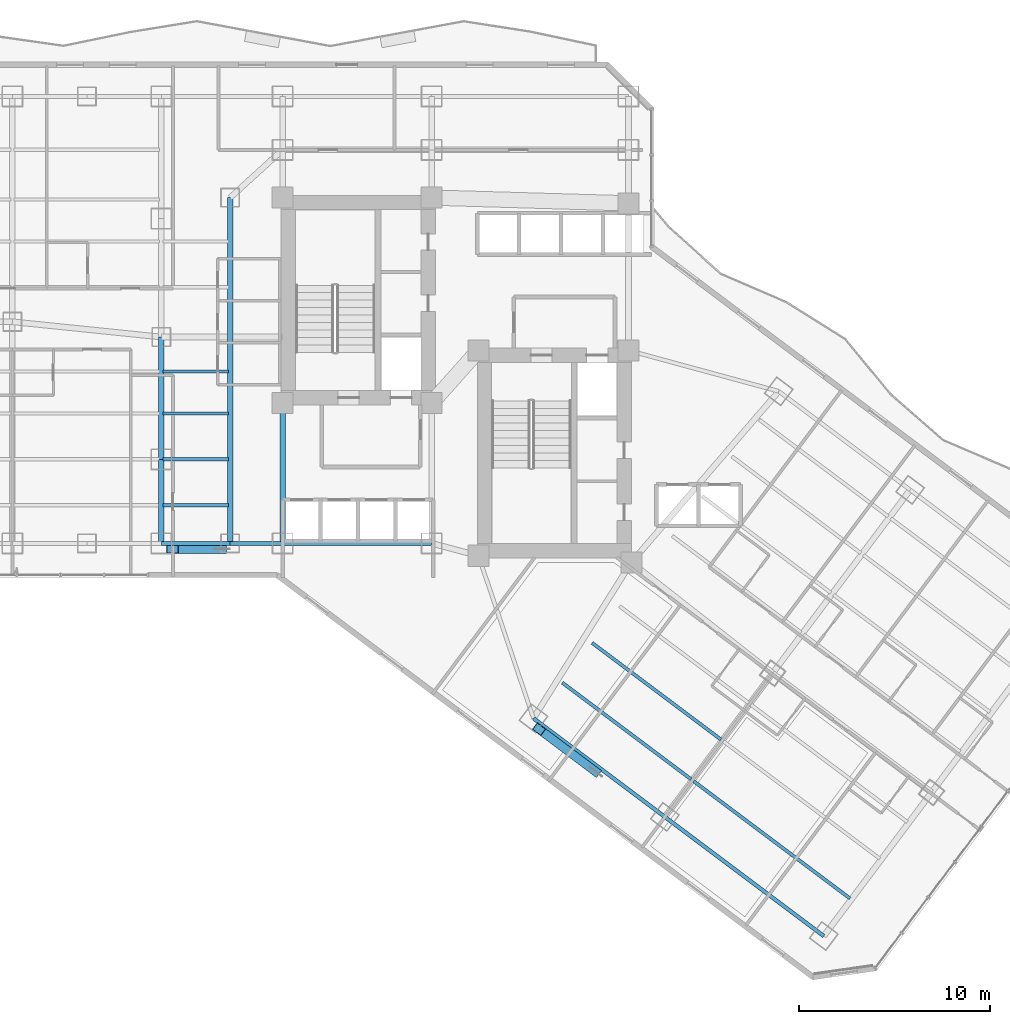
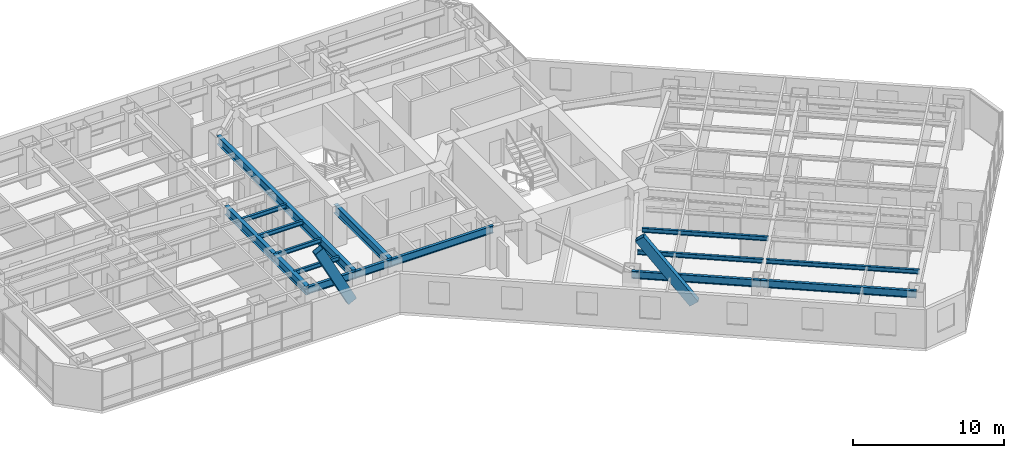
# One storey, part 7 of 32: 16 beams, 2 members.
"""IFC4 building model written with IfcOpenShell, lengths in metres."""

from ifc_helpers import new_model, si_unit, direction, frame, origin, origin_2d, place, context, subcontext, project, spatial, hollow_rectangle, i_section, extrude, material, material_profile, profile_set, type_object, element, save


model = new_model("IFC4")

# Units and contexts
model_context = context("Model", 3, precision=1e-05, world=origin(), true_north=direction((0.0, 1.0)))
body_context = subcontext(model_context, "Body", "Model", "MODEL_VIEW")
ifc_project = project(units=[si_unit("LENGTHUNIT", "METRE"), si_unit("AREAUNIT", "SQUARE_METRE"), si_unit("VOLUMEUNIT", "CUBIC_METRE"), si_unit("PLANEANGLEUNIT", "RADIAN"), si_unit("MASSUNIT", "GRAM", prefix="KILO")], contexts=[model_context])

# Site, building, storey
site_placement = place(None, origin())
site = spatial("IfcSite", under=ifc_project, at=site_placement, CompositionType="ELEMENT")
building_placement = place(site_placement, origin())
building = spatial("IfcBuilding", under=site, at=building_placement, Name="Hatsunagi Terrace Concourse", CompositionType="ELEMENT")
storey_placement = place(building_placement, frame((0.0, 0.0, 36.60009765625)))
storey = spatial("IfcBuildingStorey", under=building, at=storey_placement, Name="L08", CompositionType="ELEMENT", Elevation=36.60009765625)

# Beams
ifc_material_1 = material(Name="Steel SN490B", Category="steel")
ifc_material_profile_1 = material_profile(ifc_material_1, i_section(OverallWidth=0.300048828125, OverallDepth=0.699951171875, WebThickness=0.012939453125, FlangeThickness=0.02392578125, FilletRadius=0.02197265625, at=origin_2d()), Name="H-700x300x13x24")
ifc_profile_set_1 = profile_set([ifc_material_profile_1], Name="Steel SN490B")
beam_type_1 = type_object("IfcBeamType", Name="HotelFloorGirder_H_700x300", PredefinedType="BEAM", material=ifc_profile_set_1)
beam_1_placement = place(storey_placement, frame((25.550048828125, 25.199951171875, 2.77978515625), z_axis=(0.0, 1.0, 0.0), x_axis=(-1.0, 0.0, 0.0)))
element("IfcBeam", 1, at=beam_1_placement, inside=storey, type_object=beam_type_1, Name="Beam G-04 BM-L08-K1CA", PredefinedType="BEAM", context=body_context, shape_type="SweptSolid", body=[
    extrude(i_section(OverallWidth=0.300048828125, OverallDepth=0.699951171875, WebThickness=0.012939453125, FlangeThickness=0.02392578125, FilletRadius=0.02197265625, at=origin_2d()), origin(), (0.0, 0.0, 1.0), 7.35009765625),
])
beam_2_placement = place(storey_placement, frame((22.800048828125, 25.199951171875, 2.77978515625), z_axis=(0.0, 1.0, 0.0), x_axis=(-1.0, 0.0, 0.0)))
element("IfcBeam", 2, at=beam_2_placement, inside=storey, type_object=beam_type_1, Name="Beam G-04 BM-L08-CWNS", PredefinedType="BEAM", context=body_context, shape_type="SweptSolid", body=[
    extrude(i_section(OverallWidth=0.300048828125, OverallDepth=0.699951171875, WebThickness=0.012939453125, FlangeThickness=0.02392578125, FilletRadius=0.02197265625, at=origin_2d()), origin(), (0.0, 0.0, 1.0), 18.10009765625),
])
beam_3_placement = place(storey_placement, frame((19.199951171875, 25.199951171875, 2.77978515625), z_axis=(0.0, 1.0, 0.0), x_axis=(-1.0, 0.0, 0.0)))
element("IfcBeam", 3, at=beam_3_placement, inside=storey, type_object=beam_type_1, Name="Beam G-04 BM-L08-NS-19-25", PredefinedType="BEAM", context=body_context, shape_type="SweptSolid", body=[
    extrude(i_section(OverallWidth=0.300048828125, OverallDepth=0.699951171875, WebThickness=0.012939453125, FlangeThickness=0.02392578125, FilletRadius=0.02197265625, at=origin_2d()), origin(), (0.0, 0.0, 1.0), 4.400146484375),
])
beam_4_placement = place(storey_placement, frame((19.199951171875, 29.60009765625, 2.77978515625), z_axis=(0.0, 1.0, 0.0), x_axis=(-1.0, 0.0, 0.0)))
element("IfcBeam", 4, at=beam_4_placement, inside=storey, type_object=beam_type_1, Name="Beam G-04 BM-L08-NS-19-29", PredefinedType="BEAM", context=body_context, shape_type="SweptSolid", body=[
    extrude(i_section(OverallWidth=0.300048828125, OverallDepth=0.699951171875, WebThickness=0.012939453125, FlangeThickness=0.02392578125, FilletRadius=0.02197265625, at=origin_2d()), origin(), (0.0, 0.0, 1.0), 6.39990234375),
])
ifc_material_2 = material(Name="Steel SN490B", Category="steel")
ifc_material_profile_2 = material_profile(ifc_material_2, i_section(OverallWidth=0.175048828125, OverallDepth=0.35009765625, WebThickness=0.007080078125, FlangeThickness=0.010986328125, FilletRadius=0.012939453125, at=origin_2d()), Name="H-350x175x7x11")
ifc_profile_set_2 = profile_set([ifc_material_profile_2], Name="Steel SN490B")
beam_type_2 = type_object("IfcBeamType", Name="HotelJoist_H_350x175", PredefinedType="JOIST", material=ifc_profile_set_2)
for number, where, z_axis, x_axis, name in (
    (5, (19.284912109375, 27.199951171875, 2.954833984375), (1.0, 0.0, 0.0), (0.0, 1.0, 0.0), "Beam J-02 J-L08-W-19-272"),
    (6, (19.284912109375, 29.60009765625, 2.954833984375), (1.0, 0.0, 0.0), (0.0, 1.0, 0.0), "Beam J-02 J-L08-W-19-296"),
    (7, (19.284912109375, 32.0, 2.954833984375), (1.0, 0.0, 0.0), (0.0, 1.0, 0.0), "Beam J-02 J-L08-W-19-320"),
    (8, (19.284912109375, 34.199951171875, 2.954833984375), (1.0, 0.0, 0.0), (0.0, 1.0, 0.0), "Beam J-02 J-L08-W-19-342"),
):
    element("IfcBeam", number, at=place(storey_placement, frame(where, z_axis=z_axis, x_axis=x_axis)), inside=storey, type_object=beam_type_2, Name=name, PredefinedType="JOIST", context=body_context, shape_type="SweptSolid", body=[
        extrude(i_section(OverallWidth=0.175048828125, OverallDepth=0.35009765625, WebThickness=0.007080078125, FlangeThickness=0.010986328125, FilletRadius=0.012939453125, at=origin_2d()), origin(), (0.0, 0.0, 1.0), 3.43017578125),
    ])
for number, where, z_axis, x_axis, name in (
    (9, (40.18798828125, 17.908935546875, 2.954833984375), (0.800003475366, -0.59999536615, 0.0), (0.59999536615, 0.800003475366, 0.0), "Beam J-02 J-L08-SE-2-46"),
    (10, (41.748046875, 19.989013671875, 2.954833984375), (0.799989573921, -0.600013901187, 0.0), (0.600013901187, 0.799989573921, 0.0), "Beam J-02 J-L08-SE-2-72"),
):
    element("IfcBeam", number, at=place(storey_placement, frame(where, z_axis=z_axis, x_axis=x_axis)), inside=storey, type_object=beam_type_2, Name=name, PredefinedType="JOIST", context=body_context, shape_type="SweptSolid", body=[
        extrude(i_section(OverallWidth=0.175048828125, OverallDepth=0.35009765625, WebThickness=0.007080078125, FlangeThickness=0.010986328125, FilletRadius=0.012939453125, at=origin_2d()), origin(), (0.0, 0.0, 1.0), 8.429931640625),
    ])
beam_5_placement = place(storey_placement, frame((47.068115234375, 12.7490234375, 2.954833984375), z_axis=(0.799997136125, -0.600003818481, 0.0), x_axis=(0.600003818481, 0.799997136125, 0.0)))
element("IfcBeam", 11, at=beam_5_placement, inside=storey, type_object=beam_type_2, Name="Beam J-02 J-L08-SE-3-46", PredefinedType="JOIST", context=body_context, shape_type="SweptSolid", body=[
    extrude(i_section(OverallWidth=0.175048828125, OverallDepth=0.35009765625, WebThickness=0.007080078125, FlangeThickness=0.010986328125, FilletRadius=0.012939453125, at=origin_2d()), origin(), (0.0, 0.0, 1.0), 10.229736328125),
])
ifc_material_3 = material(Name="Steel SN490B", Category="steel")
ifc_material_profile_3 = material_profile(ifc_material_3, i_section(OverallWidth=0.199951171875, OverallDepth=0.60009765625, WebThickness=0.010986328125, FlangeThickness=0.01708984375, FilletRadius=0.01806640625, at=origin_2d()), Name="H-600x200x11x17")
ifc_profile_set_3 = profile_set([ifc_material_profile_3], Name="Steel SN490B")
beam_type_3 = type_object("IfcBeamType", Name="PerimeterSpandrel_H_600x200", PredefinedType="SPANDREL", material=ifc_profile_set_3)
beam_6_placement = place(storey_placement, frame((19.199951171875, 25.199951171875, 2.829833984375), z_axis=(1.0, 0.0, 0.0), x_axis=(0.0, 1.0, 0.0)))
element("IfcBeam", 12, at=beam_6_placement, inside=storey, type_object=beam_type_3, Name="Beam SP-01 BM-L08-WS-19", PredefinedType="SPANDREL", context=body_context, shape_type="SweptSolid", body=[
    extrude(i_section(OverallWidth=0.199951171875, OverallDepth=0.60009765625, WebThickness=0.010986328125, FlangeThickness=0.01708984375, FilletRadius=0.01806640625, at=origin_2d()), origin(), (0.0, 0.0, 1.0), 3.60009765625),
])
beam_7_placement = place(storey_placement, frame((22.800048828125, 25.199951171875, 2.829833984375), z_axis=(1.0, 0.0, 0.0), x_axis=(0.0, 1.0, 0.0)))
element("IfcBeam", 13, at=beam_7_placement, inside=storey, type_object=beam_type_3, Name="Beam SP-01 BM-L08-WS-22", PredefinedType="SPANDREL", context=body_context, shape_type="SweptSolid", body=[
    extrude(i_section(OverallWidth=0.199951171875, OverallDepth=0.60009765625, WebThickness=0.010986328125, FlangeThickness=0.01708984375, FilletRadius=0.01806640625, at=origin_2d()), origin(), (0.0, 0.0, 1.0), 2.75),
])
beam_8_placement = place(storey_placement, frame((25.550048828125, 25.199951171875, 2.829833984375), z_axis=(1.0, 0.0, 0.0), x_axis=(0.0, 1.0, 0.0)))
element("IfcBeam", 14, at=beam_8_placement, inside=storey, type_object=beam_type_3, Name="Beam SP-01 BM-L08-WS-25", PredefinedType="SPANDREL", context=body_context, shape_type="SweptSolid", body=[
    extrude(i_section(OverallWidth=0.199951171875, OverallDepth=0.60009765625, WebThickness=0.010986328125, FlangeThickness=0.01708984375, FilletRadius=0.01806640625, at=origin_2d()), origin(), (0.0, 0.0, 1.0), 7.800048828125),
])
beam_9_placement = place(storey_placement, frame((38.679931640625, 16.0400390625, 2.829833984375), z_axis=(0.799996593451, -0.600004542038, 0.0), x_axis=(0.600004542038, 0.799996593451, 0.0)))
element("IfcBeam", 15, at=beam_9_placement, inside=storey, type_object=beam_type_3, Name="Beam SP-01 BM-L08-SE-SW2", PredefinedType="SPANDREL", context=body_context, shape_type="SweptSolid", body=[
    extrude(i_section(OverallWidth=0.199951171875, OverallDepth=0.60009765625, WebThickness=0.010986328125, FlangeThickness=0.01708984375, FilletRadius=0.01806640625, at=origin_2d()), origin(), (0.0, 0.0, 1.0), 8.60009765625),
])
beam_10_placement = place(storey_placement, frame((45.56005859375, 10.8798828125, 2.829833984375), z_axis=(0.799994365871, -0.600007512099, 0.0), x_axis=(0.600007512099, 0.799994365871, 0.0)))
element("IfcBeam", 16, at=beam_10_placement, inside=storey, type_object=beam_type_3, Name="Beam SP-01 BM-L08-SE-SW3", PredefinedType="SPANDREL", context=body_context, shape_type="SweptSolid", body=[
    extrude(i_section(OverallWidth=0.199951171875, OverallDepth=0.60009765625, WebThickness=0.010986328125, FlangeThickness=0.01708984375, FilletRadius=0.01806640625, at=origin_2d()), origin(), (0.0, 0.0, 1.0), 10.39990234375),
])

# Members
ifc_material_4 = material(Name="Steel SN490B", Category="steel")
ifc_material_profile_4 = material_profile(ifc_material_4, hollow_rectangle(XDim=0.449951171875, YDim=0.699951171875, WallThickness=0.028076171875, at=origin_2d()), Name="RHS-700x450x28")
ifc_profile_set_4 = profile_set([ifc_material_profile_4], Name="Steel SN490B")
member_type = type_object("IfcMemberType", Name="PerimeterXBrace_Lower_RHS_700x450x28", PredefinedType="BRACE", material=ifc_profile_set_4)
member_1_placement = place(storey_placement, frame((19.77490234375, 24.89990234375, 6.039794921875), z_axis=(0.457758185085, 0.0, -0.889076736839), x_axis=(0.0, 1.0, 0.0)))
element("IfcMember", 17, at=member_1_placement, inside=storey, type_object=member_type, Name="Perimeter X-Brace Split Upper XB-01 XB-L07-W1B1", PredefinedType="BRACE", context=body_context, shape_type="SweptSolid", body=[
    extrude(hollow_rectangle(XDim=0.449951171875, YDim=0.699951171875, WallThickness=0.028076171875, at=origin_2d()), origin(), (0.0, 0.0, 1.0), 5.540283203125),
])
member_2_placement = place(storey_placement, frame((38.971923828125, 15.470947265625, 6.039794921875), z_axis=(0.474976555778, -0.356152829609, -0.804706426855), x_axis=(0.599914198765, 0.800064343738, 0.0)))
element("IfcMember", 18, at=member_2_placement, inside=storey, type_object=member_type, Name="Perimeter X-Brace Split Upper XB-01 XB-L07-SEB1", PredefinedType="BRACE", context=body_context, shape_type="SweptSolid", body=[
    extrude(hollow_rectangle(XDim=0.449951171875, YDim=0.699951171875, WallThickness=0.028076171875, at=origin_2d()), origin(), (0.0, 0.0, 1.0), 6.13525390625),
])

save(model, "model.ifc")
